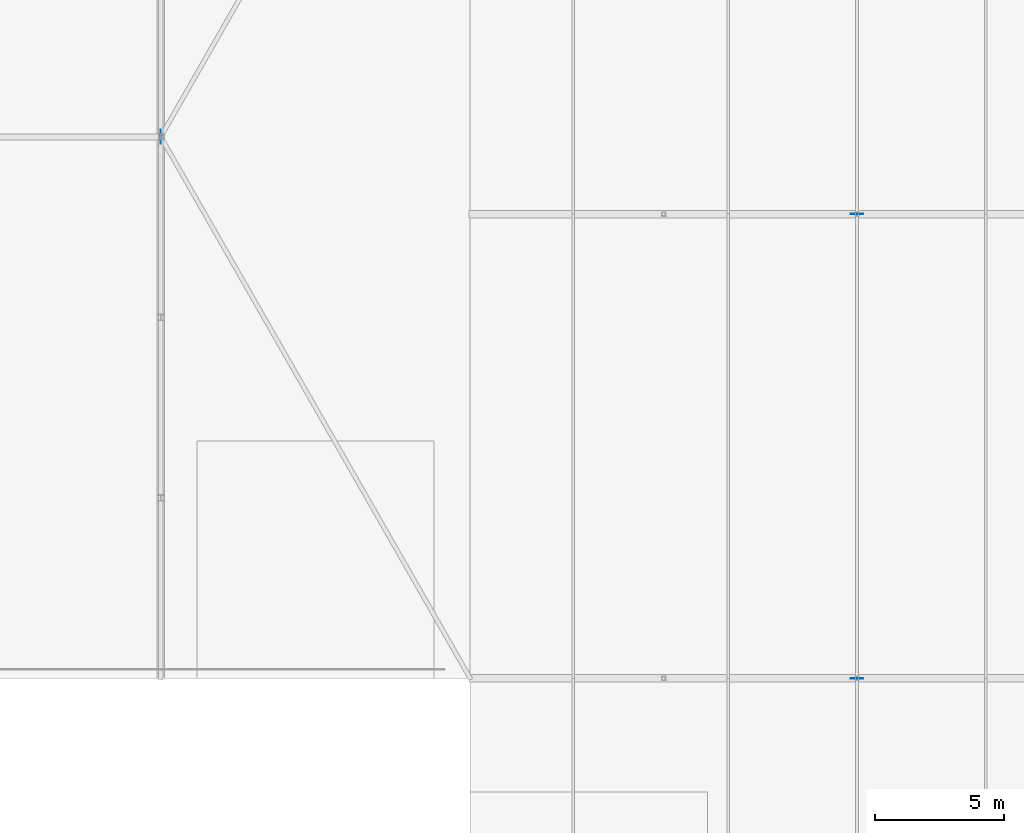
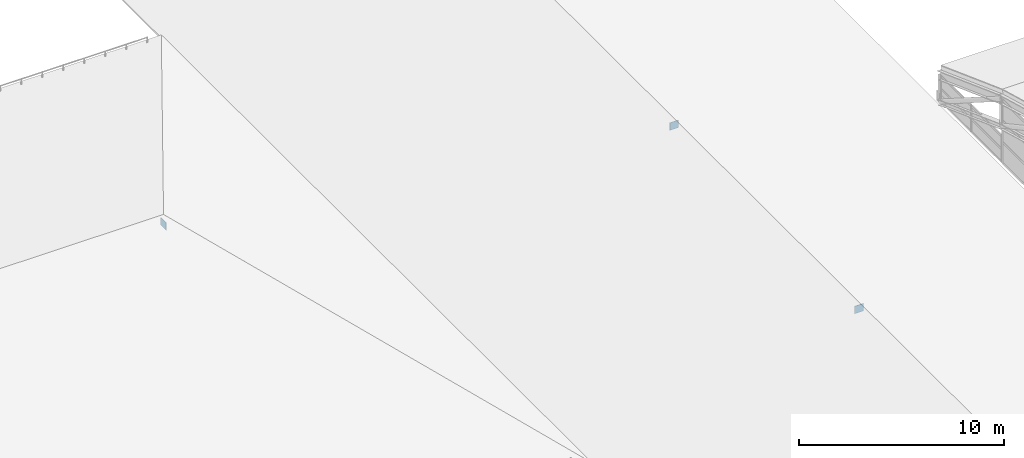
# One storey, part 170 of 204: 3 plates.
"""IFC4 building model written with IfcOpenShell, lengths in metres."""

from ifc_helpers import new_model, si_unit, direction, frame, origin, origin_2d, place, context, subcontext, project, spatial, rectangle, extrude, material, layer, layer_set, type_object, element, save


model = new_model("IFC4")

# Units and contexts
model_context = context("Model", 3, precision=1e-05, world=origin(), true_north=direction((0.0, 1.0)))
body_context = subcontext(model_context, "Body", "Model", "MODEL_VIEW")
ifc_project = project(units=[si_unit("LENGTHUNIT", "METRE"), si_unit("AREAUNIT", "SQUARE_METRE"), si_unit("VOLUMEUNIT", "CUBIC_METRE"), si_unit("PLANEANGLEUNIT", "RADIAN"), si_unit("MASSUNIT", "GRAM", prefix="KILO")], contexts=[model_context])

# Site, building, storey
site_placement = place(None, origin())
site = spatial("IfcSite", under=ifc_project, at=site_placement, CompositionType="ELEMENT")
building_placement = place(site_placement, origin())
building = spatial("IfcBuilding", under=site, at=building_placement, Name="Zilviju Railside Exhibition Hall", CompositionType="ELEMENT")
storey_placement = place(building_placement, frame((0.0, 0.0, 21.0)))
storey = spatial("IfcBuildingStorey", under=building, at=storey_placement, Name="RF", CompositionType="ELEMENT", Elevation=21.0)

# Plates
ifc_material = material(Name="Steel S355J2", Category="steel")
ifc_layer_1 = layer(ifc_material, 0.01611328125)
ifc_layer_set_1 = layer_set([ifc_layer_1], Name="Steel S355J2")
plate_type_1 = type_object("IfcPlateType", Name="PLATE-GP-16", PredefinedType="SHEET", material=ifc_layer_set_1)
plate_placement = place(storey_placement, frame((36.0, 57.0, -2.4248046875), z_axis=(0.0, 0.0, 1.0), x_axis=(1.0, 0.0, 0.0)))
element("IfcPlate", 1, at=plate_placement, inside=storey, type_object=plate_type_1, Name="Congress Apex Gusset X=36.0", PredefinedType="SHEET", context=body_context, shape_type="SweptSolid", body=[
    extrude(rectangle(XDim=0.01611328125, YDim=0.550048828125, at=origin_2d()), origin(), (0.0, 0.0, 1.0), 0.449951171875),
])
ifc_layer_2 = layer(ifc_material, 0.02001953125)
ifc_layer_set_2 = layer_set([ifc_layer_2], Name="Steel S355J2")
plate_type_2 = type_object("IfcPlateType", Name="PLATE-GP-20", PredefinedType="SHEET", material=ifc_layer_set_2)
for number, where, z_axis, x_axis, name in (
    (2, (63.0, 36.0, -4.1748046875), (0.0, 0.0, 1.0), (1.0, 0.0, 0.0), "Concourse Apex Gusset Y=36.0"),
    (3, (63.0, 54.0, -4.1748046875), (0.0, 0.0, 1.0), (1.0, 0.0, 0.0), "Concourse Apex Gusset Y=54.0"),
):
    element("IfcPlate", number, at=place(storey_placement, frame(where, z_axis=z_axis, x_axis=x_axis)), inside=storey, type_object=plate_type_2, Name=name, PredefinedType="SHEET", context=body_context, shape_type="SweptSolid", body=[
        extrude(rectangle(XDim=0.5, YDim=0.02001953125, at=origin_2d()), origin(), (0.0, 0.0, 1.0), 0.449951171875),
    ])

save(model, "model.ifc")
